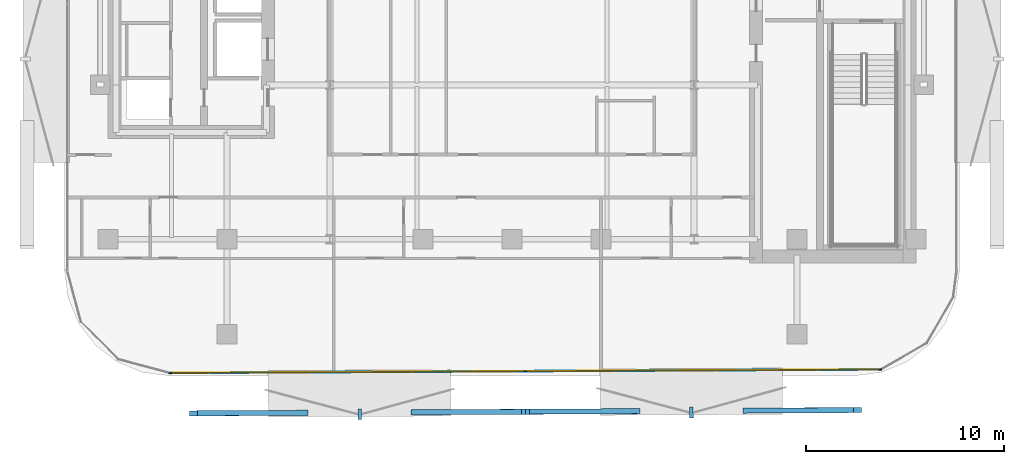
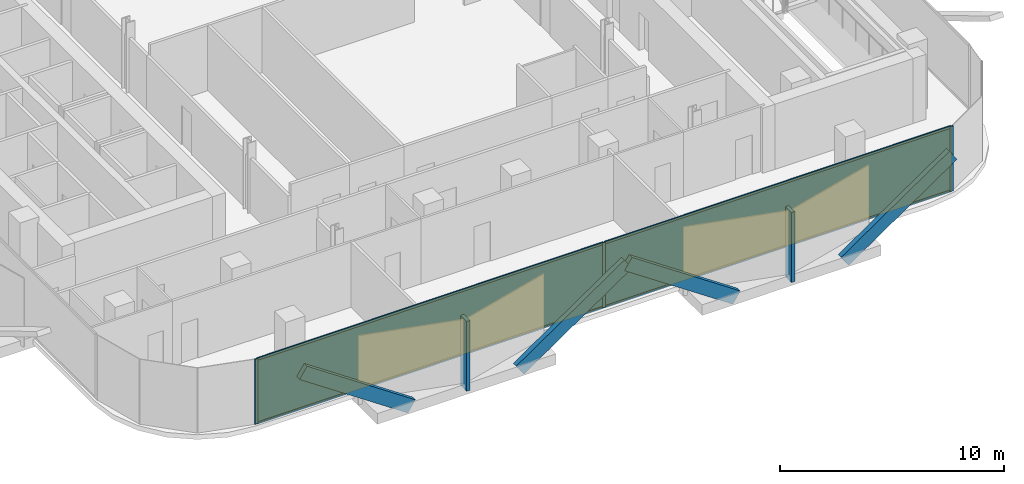
# One storey, part 9 of 17: 13 members, 2 plates, 1 curtain wall.
"""IFC4 building model written with IfcOpenShell, lengths in metres."""

from ifc_helpers import new_model, si_unit, direction, frame, frame_2d, origin, origin_2d, place, context, subcontext, project, spatial, rectangle, extrude, material, layer, layer_set, material_profile, profile_set, type_object, element, aggregate, save


model = new_model("IFC4")

# Units and contexts
model_context = context("Model", 3, precision=1e-05, world=origin(), true_north=direction((0.0, 1.0)))
body_context = subcontext(model_context, "Body", "Model", "MODEL_VIEW")
ifc_project = project(units=[si_unit("LENGTHUNIT", "METRE"), si_unit("AREAUNIT", "SQUARE_METRE"), si_unit("VOLUMEUNIT", "CUBIC_METRE"), si_unit("PLANEANGLEUNIT", "RADIAN"), si_unit("MASSUNIT", "GRAM", prefix="KILO")], contexts=[model_context])

# Member
ifc_material_1 = material(Name="Anodised Bronze Aluminium 6063-T6", Category="aluminium")
ifc_material_profile_1 = material_profile(ifc_material_1, rectangle(XDim=0.260009765625, YDim=0.699951171875, at=origin_2d()))
ifc_profile_set_1 = profile_set([ifc_material_profile_1], Name="Anodised Bronze Aluminium 6063-T6")
member_type_1 = type_object("IfcMemberType", Name="Bronze Diamond Solar-Screen Lattice Rib BDL-700", PredefinedType="MULLION", material=ifc_profile_set_1)
site_placement = place(None, origin())
building_placement = place(site_placement, origin())
storey_placement = place(building_placement, frame((0.0, 0.0, 203.0)))
member_1_placement = place(storey_placement, frame((6.27001953125, -27.283935546875, -0.1298828125), z_axis=(-0.826905498042, -0.004082681054, 0.562326087802), x_axis=(-0.007685180763, 0.999962303222, -0.004041055761)))
member_1 = element("IfcMember", 1, at=member_1_placement, type_object=member_type_1, Name="L47 Bronze Diamond Solar Screen Lattice Rib 313A", PredefinedType="MULLION", context=body_context, shape_type="SweptSolid", body=[
    extrude(rectangle(XDim=0.260009765625, YDim=0.699951171875, at=origin_2d()), origin(), (0.0, 0.0, 1.0), 6.75732421875),
])

member_2_placement = place(storey_placement, frame((11.857666015625, -27.25634765625, -0.1298828125), z_axis=(0.826905619477, 0.004046551727, 0.562326170382), x_axis=(0.007641490936, -0.999962638045, -0.004041055487)))
member_2 = element("IfcMember", 2, at=member_2_placement, type_object=member_type_1, Name="L47 Bronze Diamond Solar Screen Lattice Rib 313B", PredefinedType="MULLION", context=body_context, shape_type="SweptSolid", body=[
    extrude(rectangle(XDim=0.260009765625, YDim=0.699951171875, at=origin_2d()), origin(), (0.0, 0.0, 1.0), 6.75732421875),
])

member_3_placement = place(storey_placement, frame((-10.4931640625, -27.366455078125, -0.1298828125), z_axis=(-0.826905498042, -0.004082681054, 0.562326087802), x_axis=(-0.007685180763, 0.999962303222, -0.004041055761)))
member_3 = element("IfcMember", 3, at=member_3_placement, type_object=member_type_1, Name="L47 Bronze Diamond Solar Screen Lattice Rib 314A", PredefinedType="MULLION", context=body_context, shape_type="SweptSolid", body=[
    extrude(rectangle(XDim=0.260009765625, YDim=0.699951171875, at=origin_2d()), origin(), (0.0, 0.0, 1.0), 6.75732421875),
])

member_4_placement = place(storey_placement, frame((-4.905517578125, -27.339111328125, -0.1298828125), z_axis=(0.826916922797, 0.004082559082, 0.562309288117), x_axis=(0.007684882964, -0.999962305285, -0.004041111589)))
member_4 = element("IfcMember", 4, at=member_4_placement, type_object=member_type_1, Name="L47 Bronze Diamond Solar Screen Lattice Rib 314B", PredefinedType="MULLION", context=body_context, shape_type="SweptSolid", body=[
    extrude(rectangle(XDim=0.260009765625, YDim=0.699951171875, at=origin_2d()), origin(), (0.0, 0.0, 1.0), 6.757568359375),
])

ifc_material_2 = material(Name="Anodised Bronze Aluminium 6063-T6", Category="aluminium")
ifc_material_profile_2 = material_profile(ifc_material_2, rectangle(XDim=0.179931640625, YDim=0.5400390625, at=origin_2d()))
ifc_profile_set_2 = profile_set([ifc_material_profile_2], Name="Anodised Bronze Aluminium 6063-T6")
member_type_2 = type_object("IfcMemberType", Name="Bronze Solar-Screen Vertical Fold Fin BSF-540", PredefinedType="MULLION", material=ifc_profile_set_2)
member_5_placement = place(storey_placement, frame((9.064208984375, -27.35009765625, -0.1298828125), z_axis=(0.0, 0.0, 1.0), x_axis=(-0.999988059021, -0.004886902454, 0.0)))
member_5 = element("IfcMember", 5, at=member_5_placement, type_object=member_type_2, Name="L47 Bronze Solar Screen Vertical Fin 313", PredefinedType="MULLION", context=body_context, shape_type="SweptSolid", body=[
    extrude(rectangle(XDim=0.179931640625, YDim=0.5400390625, at=origin_2d()), origin(), (0.0, 0.0, 1.0), 3.7998046875),
])

member_6_placement = place(storey_placement, frame((-7.698974609375, -27.432861328125, -0.1298828125), z_axis=(0.0, 0.0, 1.0), x_axis=(-0.999988059021, -0.004886902454, 0.0)))
member_6 = element("IfcMember", 6, at=member_6_placement, type_object=member_type_2, Name="L47 Bronze Solar Screen Vertical Fin 314", PredefinedType="MULLION", context=body_context, shape_type="SweptSolid", body=[
    extrude(rectangle(XDim=0.179931640625, YDim=0.5400390625, at=origin_2d()), origin(), (0.0, 0.0, 1.0), 3.7998046875),
])

ifc_material_3 = material(Name="Anodised Bronze Aluminium 6063-T6", Category="aluminium")
ifc_material_profile_3 = material_profile(ifc_material_3, rectangle(XDim=0.06005859375, YDim=0.1650390625, at=origin_2d()))
ifc_profile_set_3 = profile_set([ifc_material_profile_3], Name="Anodised Bronze Aluminium 6063-T6")
member_type_3 = type_object("IfcMemberType", Name="CW-Z3 Mullion 60x165", PredefinedType="MULLION", material=ifc_profile_set_3)
member_7_placement = place(storey_placement, frame((18.605224609375, -25.18310546875, 0.0), z_axis=(0.0, 0.0, 1.0), x_axis=(0.004926734175, -0.999987863572, 0.0)))
member_7 = element("IfcMember", 7, at=member_7_placement, type_object=member_type_3, Name="CW-Z3 mullion 1", PredefinedType="MULLION", context=body_context, shape_type="SweptSolid", body=[
    extrude(rectangle(XDim=0.06005859375, YDim=0.1650390625, at=origin_2d()), origin(), (0.0, 0.0, 1.0), 3.5400390625),
])

member_8_placement = place(storey_placement, frame((0.672119140625, -25.271484375, 0.0), z_axis=(0.0, 0.0, 1.0), x_axis=(0.004926734175, -0.999987863572, 0.0)))
member_8 = element("IfcMember", 8, at=member_8_placement, type_object=member_type_3, Name="CW-Z3 mullion 2", PredefinedType="MULLION", context=body_context, shape_type="SweptSolid", body=[
    extrude(rectangle(XDim=0.06005859375, YDim=0.1650390625, at=origin_2d()), origin(), (0.0, 0.0, 1.0), 3.5400390625),
])

member_9_placement = place(storey_placement, frame((-17.2607421875, -25.35986328125, 0.0), z_axis=(0.0, 0.0, 1.0), x_axis=(0.004926734175, -0.999987863572, 0.0)))
member_9 = element("IfcMember", 9, at=member_9_placement, type_object=member_type_3, Name="CW-Z3 mullion 3", PredefinedType="MULLION", context=body_context, shape_type="SweptSolid", body=[
    extrude(rectangle(XDim=0.06005859375, YDim=0.1650390625, at=origin_2d()), origin(), (0.0, 0.0, 1.0), 3.5400390625),
])

ifc_material_4 = material(Name="Anodised Bronze Aluminium 6063-T6", Category="aluminium")
ifc_material_profile_4 = material_profile(ifc_material_4, rectangle(XDim=0.06005859375, YDim=0.1298828125, at=origin_2d()))
ifc_profile_set_4 = profile_set([ifc_material_profile_4], Name="Anodised Bronze Aluminium 6063-T6")
member_type_4 = type_object("IfcMemberType", Name="CW-Z3 Transom 60x130", PredefinedType="USERDEFINED", material=ifc_profile_set_4)
member_10_placement = place(storey_placement, frame((18.5751953125, -25.183349609375, 0.030029296875), z_axis=(-0.999987909339, -0.0049174359, 0.0), x_axis=(0.0049174359, -0.999987909339, 0.0)))
member_10 = element("IfcMember", 10, at=member_10_placement, type_object=member_type_4, Name="CW-Z3 transom 1.1", ObjectType="TRANSOM", PredefinedType="USERDEFINED", context=body_context, shape_type="SweptSolid", body=[
    extrude(rectangle(XDim=0.06005859375, YDim=0.1298828125, at=origin_2d()), origin(), (0.0, 0.0, 1.0), 17.873291015625),
])

member_11_placement = place(storey_placement, frame((18.5751953125, -25.183349609375, 3.510009765625), z_axis=(-0.999987909339, -0.0049174359, 0.0), x_axis=(0.0049174359, -0.999987909339, 0.0)))
member_11 = element("IfcMember", 11, at=member_11_placement, type_object=member_type_4, Name="CW-Z3 transom 1.2", ObjectType="TRANSOM", PredefinedType="USERDEFINED", context=body_context, shape_type="SweptSolid", body=[
    extrude(rectangle(XDim=0.06005859375, YDim=0.1298828125, at=origin_2d()), origin(), (0.0, 0.0, 1.0), 17.873291015625),
])

member_12_placement = place(storey_placement, frame((0.64208984375, -25.271728515625, 0.030029296875), z_axis=(-0.999987909009, -0.00491750307, 0.0), x_axis=(0.00491750307, -0.999987909009, 0.0)))
member_12 = element("IfcMember", 12, at=member_12_placement, type_object=member_type_4, Name="CW-Z3 transom 2.1", ObjectType="TRANSOM", PredefinedType="USERDEFINED", context=body_context, shape_type="SweptSolid", body=[
    extrude(rectangle(XDim=0.06005859375, YDim=0.1298828125, at=origin_2d()), origin(), (0.0, 0.0, 1.0), 17.873046875),
])

member_13_placement = place(storey_placement, frame((0.64208984375, -25.271728515625, 3.510009765625), z_axis=(-0.999987909009, -0.00491750307, 0.0), x_axis=(0.00491750307, -0.999987909009, 0.0)))
member_13 = element("IfcMember", 13, at=member_13_placement, type_object=member_type_4, Name="CW-Z3 transom 2.2", ObjectType="TRANSOM", PredefinedType="USERDEFINED", context=body_context, shape_type="SweptSolid", body=[
    extrude(rectangle(XDim=0.06005859375, YDim=0.1298828125, at=origin_2d()), origin(), (0.0, 0.0, 1.0), 17.873046875),
])

# Plate
ifc_material_5 = material(Name="Low-E Solar Control Laminated Glass", Category="glass")
ifc_layer_1 = layer(ifc_material_5, 0.030029296875, Name="Low-E Solar Control Laminated Glass")
ifc_layer_set_1 = layer_set([ifc_layer_1], Name="Low-E Solar Control Laminated Glass")
plate_type = type_object("IfcPlateType", Name="CW-Z3 Low-E Double Glazed Panel 30mm", PredefinedType="CURTAIN_PANEL", material=ifc_layer_set_1)
plate_1_placement = place(storey_placement, frame((9.638671875, -25.227294921875, 0.06005859375), z_axis=(0.0, 0.0, 1.0), x_axis=(-0.999987863572, -0.004926734175, 0.0)))
plate_1 = element("IfcPlate", 14, at=plate_1_placement, type_object=plate_type, Name="CW-Z3 panel 1.1", PredefinedType="CURTAIN_PANEL", context=body_context, shape_type="SweptSolid", body=[
    extrude(rectangle(XDim=17.873291015625, YDim=0.030029296875, at=origin_2d()), origin(), (0.0, 0.0, 1.0), 3.419921875),
])

plate_2_placement = place(storey_placement, frame((-8.294189453125, -25.315673828125, 0.06005859375), z_axis=(0.0, 0.0, 1.0), x_axis=(-0.999987863572, -0.004926734175, 0.0)))
plate_2 = element("IfcPlate", 15, at=plate_2_placement, type_object=plate_type, Name="CW-Z3 panel 2.1", PredefinedType="CURTAIN_PANEL", context=body_context, shape_type="SweptSolid", body=[
    extrude(rectangle(XDim=17.873291015625, YDim=0.030029296875, at=origin_2d()), origin(), (0.0, 0.0, 1.0), 3.419921875),
])

# Site, building, storey
site = spatial("IfcSite", under=ifc_project, at=site_placement, CompositionType="ELEMENT")
building = spatial("IfcBuilding", under=site, at=building_placement, Name="Khairoan Windgate Tower", CompositionType="ELEMENT")
storey = spatial("IfcBuildingStorey", under=building, at=storey_placement, Name="L47", CompositionType="ELEMENT", Elevation=203.0)

# Curtain wall
ifc_material_6 = material(Name="Anodised Bronze Aluminium 6063-T6", Category="aluminium")
ifc_layer_2 = layer(ifc_material_6, 0.1650390625, Name="Anodised Bronze Aluminium 6063-T6")
ifc_layer_set_2 = layer_set([ifc_layer_2], Name="Anodised Bronze Aluminium 6063-T6")
curtain_wall_type = type_object("IfcCurtainWallType", Name="Luxury Hotel Acoustic Curtain Wall CW-Z3", PredefinedType="NOTDEFINED", material=ifc_layer_set_2)
curtain_wall_placement = place(storey_placement, frame((18.63525390625, -25.18310546875, 0.0), z_axis=(0.0, 0.0, 1.0), x_axis=(-0.999987863321, -0.004926785053, 0.0)))
curtain_wall = element("IfcCurtainWall", 16, at=curtain_wall_placement, inside=storey, type_object=curtain_wall_type, Name="L47 Unitised Curtain Wall 1", PredefinedType="NOTDEFINED", context=body_context, shape_type="SweptSolid", body=[
    extrude(rectangle(XDim=35.926513671875, YDim=0.010009765625, at=frame_2d((17.96337890625, 0.0))), origin(), (0.0, 0.0, 1.0), 3.5400390625),
])

aggregate(curtain_wall, [member_7, member_8, member_9, member_10, member_11, plate_1, member_12, member_13, plate_2, member_1, member_2, member_5, member_3, member_4, member_6])

save(model, "model.ifc")
